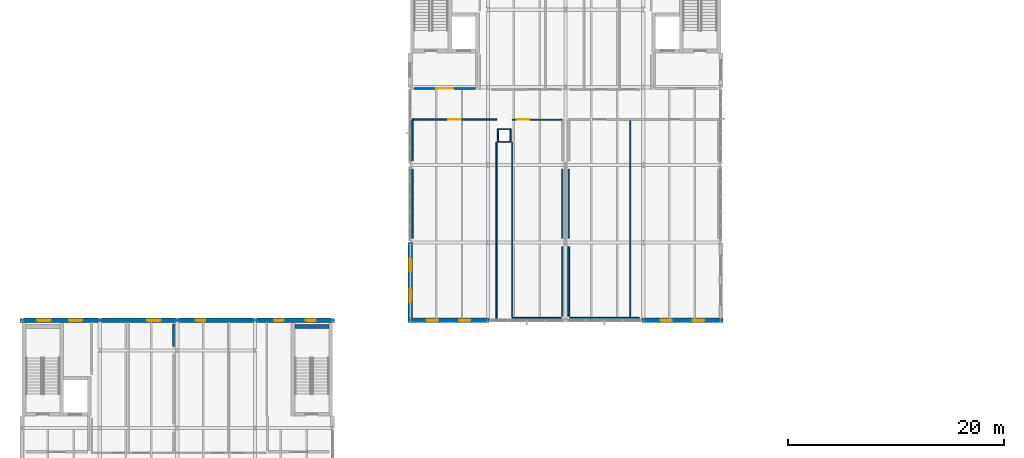
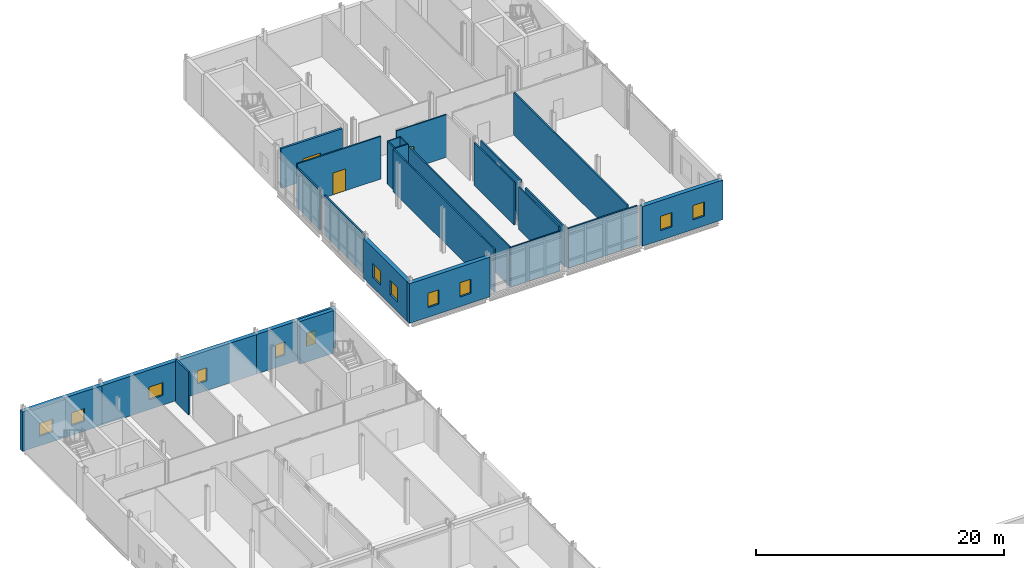
# One storey, part 60 of 72: 27 walls, 12 windows, 3 doors, 15 openings.
"""IFC4 building model written with IfcOpenShell, lengths in metres."""

from ifc_helpers import new_model, si_unit, direction, frame, frame_2d, origin, place, context, subcontext, project, spatial, rectangle, extrude, material, layer, layer_set, type_object, element, fill, save


model = new_model("IFC4")

# Units and contexts
model_context = context("Model", 3, precision=1e-05, world=origin(), true_north=direction((0.0, 1.0)))
body_context = subcontext(model_context, "Body", "Model", "MODEL_VIEW")
ifc_project = project(units=[si_unit("LENGTHUNIT", "METRE"), si_unit("AREAUNIT", "SQUARE_METRE"), si_unit("VOLUMEUNIT", "CUBIC_METRE"), si_unit("PLANEANGLEUNIT", "RADIAN"), si_unit("MASSUNIT", "GRAM", prefix="KILO")], contexts=[model_context])

# Site, building, storey
site_placement = place(None, origin())
site = spatial("IfcSite", under=ifc_project, at=site_placement, CompositionType="ELEMENT")
building_placement = place(site_placement, origin())
building = spatial("IfcBuilding", under=site, at=building_placement, Name="Zarrinpeak Specialist Clinic", CompositionType="ELEMENT")
storey_placement = place(building_placement, frame((0.0, 0.0, 9.60009765625)))
storey = spatial("IfcBuildingStorey", under=building, at=storey_placement, Name="L02", CompositionType="ELEMENT", Elevation=9.60009765625)

# Wall
ifc_material_1 = material(Name="Concrete C40/50", Category="concrete")
ifc_layer_1 = layer(ifc_material_1, 0.35009765625)
ifc_layer_set_1 = layer_set([ifc_layer_1], Name="Concrete C40/50")
wall_type_1 = type_object("IfcWallType", Name="WL-CR350", PredefinedType="SHEAR", material=ifc_layer_set_1)
wall_1_placement = place(storey_placement, frame((25.300048828125, 81.425048828125, 0.0), z_axis=(0.0, 0.0, 1.0), x_axis=(1.0, 0.0, 0.0)))
element("IfcWall", 1, at=wall_1_placement, inside=storey, type_object=wall_type_1, Name="L02 Core C10 Shear Wall STN", PredefinedType="SHEAR", context=body_context, shape_type="SweptSolid", body=[
    extrude(rectangle(XDim=3.14990234375, YDim=0.35009765625, at=frame_2d((1.574951171875, 0.0))), origin(), (0.0, 0.0, 1.0), 4.199951171875),
])

# Wall, openings, windows
ifc_material_2 = material(Name="Precast concrete C40/50", Category="concrete")
ifc_layer_2 = layer(ifc_material_2, 0.3798828125)
ifc_layer_set_2 = layer_set([ifc_layer_2], Name="Precast concrete C40/50")
wall_type_2 = type_object("IfcWallType", Name="WL-EW380", PredefinedType="STANDARD", material=ifc_layer_set_2)
wall_2_placement = place(storey_placement, frame((7.199951171875, 82.0, 0.0), z_axis=(0.0, 0.0, 1.0), x_axis=(-1.0, 0.0, 0.0)))
wall_2 = element("IfcWall", 2, at=wall_2_placement, inside=storey, type_object=wall_type_2, Name="L02 V5 Exterior GRC Wall EW-L02-V5-0243", PredefinedType="STANDARD", context=body_context, shape_type="SweptSolid", body=[
    extrude(rectangle(XDim=7.389892578125, YDim=0.3798828125, at=frame_2d((3.69482421875, 0.0))), origin(), (0.0, 0.0, 1.0), 3.89501953125),
])
opening_1_placement = place(wall_2_placement, frame((1.60009765625, 0.0, 0.949951171875)))
opening_1 = element("IfcOpeningElement", 3, at=opening_1_placement, cuts=wall_2, Name="Opening WS-12", PredefinedType="OPENING", context=body_context, shape_type="SweptSolid", body=[
    extrude(rectangle(XDim=1.23388671875, YDim=1.260009765625, at=frame_2d((0.616943359375, 0.6298828125))), frame((0.0, 0.199951171875, 0.0), z_axis=(0.0, -1.0, 0.0), x_axis=(1.0, 0.0, 0.0)), (0.0, 0.0, 1.0), 0.39990234375),
])
opening_2_placement = place(wall_2_placement, frame((4.555908203125, 0.0, 0.949951171875)))
opening_2 = element("IfcOpeningElement", 4, at=opening_2_placement, cuts=wall_2, Name="Opening WS-12", PredefinedType="OPENING", context=body_context, shape_type="SweptSolid", body=[
    extrude(rectangle(XDim=1.23388671875, YDim=1.260009765625, at=frame_2d((0.616943359375, 0.6298828125))), frame((0.0, 0.199951171875, 0.0), z_axis=(0.0, -1.0, 0.0), x_axis=(1.0, 0.0, 0.0)), (0.0, 0.0, 1.0), 0.39990234375),
])
ifc_material_3 = material(Name="Thermally Broken Aluminium and Low-E Glazing", Category="aluminium")
window_type_1 = type_object("IfcWindowType", Name="WN-SP12", PartitioningType="SINGLE_PANEL", PredefinedType="WINDOW", material=ifc_material_3)
window_1_placement = place(opening_1_placement, origin())
window_1 = element("IfcWindow", 5, at=window_1_placement, inside=storey, type_object=window_type_1, Name="L02 Modular Facade Window WN-L02-0278", OverallHeight=1.260009765625, OverallWidth=1.23388671875, PartitioningType="SINGLE_PANEL", PredefinedType="WINDOW", context=body_context, shape_type="SweptSolid", body=[
    extrude(rectangle(XDim=1.23388671875, YDim=1.260009765625, at=frame_2d((0.616943359375, 0.6298828125))), frame((0.0, 0.030029296875, 0.0), z_axis=(0.0, -1.0, 0.0), x_axis=(1.0, 0.0, 0.0)), (0.0, 0.0, 1.0), 0.06005859375),
])
fill(opening_1, window_1)
window_2_placement = place(opening_2_placement, origin())
window_2 = element("IfcWindow", 6, at=window_2_placement, inside=storey, type_object=window_type_1, Name="L02 Modular Facade Window WN-L02-0279", OverallHeight=1.260009765625, OverallWidth=1.23388671875, PartitioningType="SINGLE_PANEL", PredefinedType="WINDOW", context=body_context, shape_type="SweptSolid", body=[
    extrude(rectangle(XDim=1.23388671875, YDim=1.260009765625, at=frame_2d((0.616943359375, 0.6298828125))), frame((0.0, 0.030029296875, 0.0), z_axis=(0.0, -1.0, 0.0), x_axis=(1.0, 0.0, 0.0)), (0.0, 0.0, 1.0), 0.06005859375),
])
fill(opening_2, window_2)

# Wall, opening, window
wall_3_placement = place(storey_placement, frame((14.39990234375, 82.0, 0.0), z_axis=(0.0, 0.0, 1.0), x_axis=(-1.0, 0.0, 0.0)))
wall_3 = element("IfcWall", 7, at=wall_3_placement, inside=storey, type_object=wall_type_2, Name="L02 V5 Exterior GRC Wall EW-L02-V5-0244", PredefinedType="STANDARD", context=body_context, shape_type="SweptSolid", body=[
    extrude(rectangle(XDim=7.199951171875, YDim=0.3798828125, at=frame_2d((3.60009765625, 0.0))), origin(), (0.0, 0.0, 1.0), 3.89501953125),
])
opening_3_placement = place(wall_3_placement, frame((1.52587890625, 0.0, 0.949951171875)))
opening_3 = element("IfcOpeningElement", 8, at=opening_3_placement, cuts=wall_3, Name="Opening WS-13", PredefinedType="OPENING", context=body_context, shape_type="SweptSolid", body=[
    extrude(rectangle(XDim=1.26806640625, YDim=1.260009765625, at=frame_2d((0.634033203125, 0.6298828125))), frame((0.0, 0.199951171875, 0.0), z_axis=(0.0, -1.0, 0.0), x_axis=(1.0, 0.0, 0.0)), (0.0, 0.0, 1.0), 0.39990234375),
])
window_type_2 = type_object("IfcWindowType", Name="WN-SP13", PartitioningType="SINGLE_PANEL", PredefinedType="WINDOW", material=ifc_material_3)
window_3_placement = place(opening_3_placement, origin())
window_3 = element("IfcWindow", 9, at=window_3_placement, inside=storey, type_object=window_type_2, Name="L02 Modular Facade Window WN-L02-0280", OverallHeight=1.260009765625, OverallWidth=1.26806640625, PartitioningType="SINGLE_PANEL", PredefinedType="WINDOW", context=body_context, shape_type="SweptSolid", body=[
    extrude(rectangle(XDim=1.26806640625, YDim=1.260009765625, at=frame_2d((0.634033203125, 0.6298828125))), frame((0.0, 0.030029296875, 0.0), z_axis=(0.0, -1.0, 0.0), x_axis=(1.0, 0.0, 0.0)), (0.0, 0.0, 1.0), 0.06005859375),
])
fill(opening_3, window_3)

wall_4_placement = place(storey_placement, frame((21.60009765625, 82.0, 0.0), z_axis=(0.0, 0.0, 1.0), x_axis=(-1.0, 0.0, 0.0)))
wall_4 = element("IfcWall", 10, at=wall_4_placement, inside=storey, type_object=wall_type_2, Name="L02 V5 Exterior GRC Wall EW-L02-V5-0245", PredefinedType="STANDARD", context=body_context, shape_type="SweptSolid", body=[
    extrude(rectangle(XDim=7.2001953125, YDim=0.3798828125, at=frame_2d((3.60009765625, 0.0))), origin(), (0.0, 0.0, 1.0), 3.89501953125),
])
opening_4_placement = place(wall_4_placement, frame((4.610107421875, 0.0, 0.949951171875)))
opening_4 = element("IfcOpeningElement", 11, at=opening_4_placement, cuts=wall_4, Name="Opening WS-14", PredefinedType="OPENING", context=body_context, shape_type="SweptSolid", body=[
    extrude(rectangle(XDim=0.860107421875, YDim=1.2958984375, at=frame_2d((0.43017578125, 0.64794921875))), frame((0.0, 0.199951171875, 0.0), z_axis=(0.0, -1.0, 0.0), x_axis=(1.0, 0.0, 0.0)), (0.0, 0.0, 1.0), 0.39990234375),
])
window_type_3 = type_object("IfcWindowType", Name="WN-SP14", PartitioningType="SINGLE_PANEL", PredefinedType="WINDOW", material=ifc_material_3)
window_4_placement = place(opening_4_placement, origin())
window_4 = element("IfcWindow", 12, at=window_4_placement, inside=storey, type_object=window_type_3, Name="L02 Modular Facade Window WN-L02-0281", OverallHeight=1.2958984375, OverallWidth=0.860107421875, PartitioningType="SINGLE_PANEL", PredefinedType="WINDOW", context=body_context, shape_type="SweptSolid", body=[
    extrude(rectangle(XDim=0.860107421875, YDim=1.2958984375, at=frame_2d((0.43017578125, 0.64794921875))), frame((0.0, 0.030029296875, 0.0), z_axis=(0.0, -1.0, 0.0), x_axis=(1.0, 0.0, 0.0)), (0.0, 0.0, 1.0), 0.06005859375),
])
fill(opening_4, window_4)

# Wall, openings, windows
wall_5_placement = place(storey_placement, frame((28.989990234375, 82.0, 0.0), z_axis=(0.0, 0.0, 1.0), x_axis=(-1.0, 0.0, 0.0)))
wall_5 = element("IfcWall", 13, at=wall_5_placement, inside=storey, type_object=wall_type_2, Name="L02 V5 Exterior GRC Wall EW-L02-V5-0246", PredefinedType="STANDARD", context=body_context, shape_type="SweptSolid", body=[
    extrude(rectangle(XDim=7.389892578125, YDim=0.3798828125, at=frame_2d((3.69482421875, 0.0))), origin(), (0.0, 0.0, 1.0), 3.89501953125),
])
opening_5_placement = place(wall_5_placement, frame((1.77001953125, 0.0, 0.949951171875)))
opening_5 = element("IfcOpeningElement", 14, at=opening_5_placement, cuts=wall_5, Name="Opening WS-15", PredefinedType="OPENING", context=body_context, shape_type="SweptSolid", body=[
    extrude(rectangle(XDim=0.89404296875, YDim=1.2958984375, at=frame_2d((0.447021484375, 0.64794921875))), frame((0.0, 0.199951171875, 0.0), z_axis=(0.0, -1.0, 0.0), x_axis=(1.0, 0.0, 0.0)), (0.0, 0.0, 1.0), 0.39990234375),
])
opening_6_placement = place(wall_5_placement, frame((4.72607421875, 0.0, 0.949951171875)))
opening_6 = element("IfcOpeningElement", 15, at=opening_6_placement, cuts=wall_5, Name="Opening WS-15", PredefinedType="OPENING", context=body_context, shape_type="SweptSolid", body=[
    extrude(rectangle(XDim=0.89404296875, YDim=1.2958984375, at=frame_2d((0.447021484375, 0.64794921875))), frame((0.0, 0.199951171875, 0.0), z_axis=(0.0, -1.0, 0.0), x_axis=(1.0, 0.0, 0.0)), (0.0, 0.0, 1.0), 0.39990234375),
])
window_type_4 = type_object("IfcWindowType", Name="WN-SP15", PartitioningType="SINGLE_PANEL", PredefinedType="WINDOW", material=ifc_material_3)
window_5_placement = place(opening_5_placement, origin())
window_5 = element("IfcWindow", 16, at=window_5_placement, inside=storey, type_object=window_type_4, Name="L02 Modular Facade Window WN-L02-0282", OverallHeight=1.2958984375, OverallWidth=0.89404296875, PartitioningType="SINGLE_PANEL", PredefinedType="WINDOW", context=body_context, shape_type="SweptSolid", body=[
    extrude(rectangle(XDim=0.89404296875, YDim=1.2958984375, at=frame_2d((0.447021484375, 0.64794921875))), frame((0.0, 0.030029296875, 0.0), z_axis=(0.0, -1.0, 0.0), x_axis=(1.0, 0.0, 0.0)), (0.0, 0.0, 1.0), 0.06005859375),
])
fill(opening_5, window_5)
window_6_placement = place(opening_6_placement, origin())
window_6 = element("IfcWindow", 17, at=window_6_placement, inside=storey, type_object=window_type_4, Name="L02 Modular Facade Window WN-L02-0283", OverallHeight=1.2958984375, OverallWidth=0.89404296875, PartitioningType="SINGLE_PANEL", PredefinedType="WINDOW", context=body_context, shape_type="SweptSolid", body=[
    extrude(rectangle(XDim=0.89404296875, YDim=1.2958984375, at=frame_2d((0.447021484375, 0.64794921875))), frame((0.0, 0.030029296875, 0.0), z_axis=(0.0, -1.0, 0.0), x_axis=(1.0, 0.0, 0.0)), (0.0, 0.0, 1.0), 0.06005859375),
])
fill(opening_6, window_6)

wall_6_placement = place(storey_placement, frame((35.81005859375, 82.0, 0.0), z_axis=(0.0, 0.0, 1.0), x_axis=(1.0, 0.0, 0.0)))
wall_6 = element("IfcWall", 18, at=wall_6_placement, inside=storey, type_object=wall_type_2, Name="L02 V6 Exterior GRC Wall EW-L02-V6-0289", PredefinedType="STANDARD", context=body_context, shape_type="SweptSolid", body=[
    extrude(rectangle(XDim=7.5, YDim=0.3798828125, at=frame_2d((3.75, 0.0))), origin(), (0.0, 0.0, 1.0), 3.89990234375),
])
opening_7_placement = place(wall_6_placement, frame((1.735107421875, 0.0, 0.949951171875)))
opening_7 = element("IfcOpeningElement", 19, at=opening_7_placement, cuts=wall_6, Name="Opening WS-58", PredefinedType="OPENING", context=body_context, shape_type="SweptSolid", body=[
    extrude(rectangle(XDim=1.030029296875, YDim=1.404052734375, at=frame_2d((0.51513671875, 0.7021484375))), frame((0.0, 0.199951171875, 0.0), z_axis=(0.0, -1.0, 0.0), x_axis=(1.0, 0.0, 0.0)), (0.0, 0.0, 1.0), 0.39990234375),
])
opening_8_placement = place(wall_6_placement, frame((4.735107421875, 0.0, 0.949951171875)))
opening_8 = element("IfcOpeningElement", 20, at=opening_8_placement, cuts=wall_6, Name="Opening WS-58", PredefinedType="OPENING", context=body_context, shape_type="SweptSolid", body=[
    extrude(rectangle(XDim=1.030029296875, YDim=1.404052734375, at=frame_2d((0.51513671875, 0.7021484375))), frame((0.0, 0.199951171875, 0.0), z_axis=(0.0, -1.0, 0.0), x_axis=(1.0, 0.0, 0.0)), (0.0, 0.0, 1.0), 0.39990234375),
])
window_type_5 = type_object("IfcWindowType", Name="WN-SP58", PartitioningType="SINGLE_PANEL", PredefinedType="WINDOW", material=ifc_material_3)
window_7_placement = place(opening_7_placement, origin())
window_7 = element("IfcWindow", 21, at=window_7_placement, inside=storey, type_object=window_type_5, Name="L02 Modular Facade Window WN-L02-0328", OverallHeight=1.404052734375, OverallWidth=1.030029296875, PartitioningType="SINGLE_PANEL", PredefinedType="WINDOW", context=body_context, shape_type="SweptSolid", body=[
    extrude(rectangle(XDim=1.030029296875, YDim=1.404052734375, at=frame_2d((0.51513671875, 0.7021484375))), frame((0.0, 0.030029296875, 0.0), z_axis=(0.0, -1.0, 0.0), x_axis=(1.0, 0.0, 0.0)), (0.0, 0.0, 1.0), 0.06005859375),
])
fill(opening_7, window_7)
window_8_placement = place(opening_8_placement, origin())
window_8 = element("IfcWindow", 22, at=window_8_placement, inside=storey, type_object=window_type_5, Name="L02 Modular Facade Window WN-L02-0329", OverallHeight=1.404052734375, OverallWidth=1.030029296875, PartitioningType="SINGLE_PANEL", PredefinedType="WINDOW", context=body_context, shape_type="SweptSolid", body=[
    extrude(rectangle(XDim=1.030029296875, YDim=1.404052734375, at=frame_2d((0.51513671875, 0.7021484375))), frame((0.0, 0.030029296875, 0.0), z_axis=(0.0, -1.0, 0.0), x_axis=(1.0, 0.0, 0.0)), (0.0, 0.0, 1.0), 0.06005859375),
])
fill(opening_8, window_8)

wall_7_placement = place(storey_placement, frame((57.489990234375, 82.0, 0.0), z_axis=(0.0, 0.0, 1.0), x_axis=(1.0, 0.0, 0.0)))
wall_7 = element("IfcWall", 23, at=wall_7_placement, inside=storey, type_object=wall_type_2, Name="L02 V6 Exterior GRC Wall EW-L02-V6-0290", PredefinedType="STANDARD", context=body_context, shape_type="SweptSolid", body=[
    extrude(rectangle(XDim=7.5, YDim=0.3798828125, at=frame_2d((3.75, 0.0))), origin(), (0.0, 0.0, 1.0), 3.89990234375),
])
opening_9_placement = place(wall_7_placement, frame((1.718017578125, 0.0, 0.949951171875)))
opening_9 = element("IfcOpeningElement", 24, at=opening_9_placement, cuts=wall_7, Name="Opening WS-59", PredefinedType="OPENING", context=body_context, shape_type="SweptSolid", body=[
    extrude(rectangle(XDim=1.06396484375, YDim=1.404052734375, at=frame_2d((0.531982421875, 0.7021484375))), frame((0.0, 0.199951171875, 0.0), z_axis=(0.0, -1.0, 0.0), x_axis=(1.0, 0.0, 0.0)), (0.0, 0.0, 1.0), 0.39990234375),
])
opening_10_placement = place(wall_7_placement, frame((4.718017578125, 0.0, 0.949951171875)))
opening_10 = element("IfcOpeningElement", 25, at=opening_10_placement, cuts=wall_7, Name="Opening WS-59", PredefinedType="OPENING", context=body_context, shape_type="SweptSolid", body=[
    extrude(rectangle(XDim=1.06396484375, YDim=1.404052734375, at=frame_2d((0.531982421875, 0.7021484375))), frame((0.0, 0.199951171875, 0.0), z_axis=(0.0, -1.0, 0.0), x_axis=(1.0, 0.0, 0.0)), (0.0, 0.0, 1.0), 0.39990234375),
])
window_type_6 = type_object("IfcWindowType", Name="WN-SP59", PartitioningType="SINGLE_PANEL", PredefinedType="WINDOW", material=ifc_material_3)
window_9_placement = place(opening_9_placement, origin())
window_9 = element("IfcWindow", 26, at=window_9_placement, inside=storey, type_object=window_type_6, Name="L02 Modular Facade Window WN-L02-0330", OverallHeight=1.404052734375, OverallWidth=1.06396484375, PartitioningType="SINGLE_PANEL", PredefinedType="WINDOW", context=body_context, shape_type="SweptSolid", body=[
    extrude(rectangle(XDim=1.06396484375, YDim=1.404052734375, at=frame_2d((0.531982421875, 0.7021484375))), frame((0.0, 0.030029296875, 0.0), z_axis=(0.0, -1.0, 0.0), x_axis=(1.0, 0.0, 0.0)), (0.0, 0.0, 1.0), 0.06005859375),
])
fill(opening_9, window_9)
window_10_placement = place(opening_10_placement, origin())
window_10 = element("IfcWindow", 27, at=window_10_placement, inside=storey, type_object=window_type_6, Name="L02 Modular Facade Window WN-L02-0331", OverallHeight=1.404052734375, OverallWidth=1.06396484375, PartitioningType="SINGLE_PANEL", PredefinedType="WINDOW", context=body_context, shape_type="SweptSolid", body=[
    extrude(rectangle(XDim=1.06396484375, YDim=1.404052734375, at=frame_2d((0.531982421875, 0.7021484375))), frame((0.0, 0.030029296875, 0.0), z_axis=(0.0, -1.0, 0.0), x_axis=(1.0, 0.0, 0.0)), (0.0, 0.0, 1.0), 0.06005859375),
])
fill(opening_10, window_10)

wall_8_placement = place(storey_placement, frame((36.0, 89.199951171875, 0.0), z_axis=(0.0, 0.0, 1.0), x_axis=(0.0, -1.0, 0.0)))
wall_8 = element("IfcWall", 28, at=wall_8_placement, inside=storey, type_object=wall_type_2, Name="L02 V6 Exterior GRC Wall EW-L02-V6-0295", PredefinedType="STANDARD", context=body_context, shape_type="SweptSolid", body=[
    extrude(rectangle(XDim=7.010009765625, YDim=0.3798828125, at=frame_2d((3.5048828125, 0.0))), origin(), (0.0, 0.0, 1.0), 3.889892578125),
])
opening_11_placement = place(wall_8_placement, frame((1.486083984375, 0.0, 0.949951171875)))
opening_11 = element("IfcOpeningElement", 29, at=opening_11_placement, cuts=wall_8, Name="Opening WS-64", PredefinedType="OPENING", context=body_context, shape_type="SweptSolid", body=[
    extrude(rectangle(XDim=1.23388671875, YDim=1.404052734375, at=frame_2d((0.616943359375, 0.7021484375))), frame((0.0, 0.199951171875, 0.0), z_axis=(0.0, -1.0, 0.0), x_axis=(1.0, 0.0, 0.0)), (0.0, 0.0, 1.0), 0.39990234375),
])
opening_12_placement = place(wall_8_placement, frame((4.2900390625, 0.0, 0.949951171875)))
opening_12 = element("IfcOpeningElement", 30, at=opening_12_placement, cuts=wall_8, Name="Opening WS-64", PredefinedType="OPENING", context=body_context, shape_type="SweptSolid", body=[
    extrude(rectangle(XDim=1.23388671875, YDim=1.404052734375, at=frame_2d((0.616943359375, 0.7021484375))), frame((0.0, 0.199951171875, 0.0), z_axis=(0.0, -1.0, 0.0), x_axis=(1.0, 0.0, 0.0)), (0.0, 0.0, 1.0), 0.39990234375),
])
window_type_7 = type_object("IfcWindowType", Name="WN-SP64", PartitioningType="SINGLE_PANEL", PredefinedType="WINDOW", material=ifc_material_3)
window_11_placement = place(opening_11_placement, origin())
window_11 = element("IfcWindow", 31, at=window_11_placement, inside=storey, type_object=window_type_7, Name="L02 Modular Facade Window WN-L02-0336", OverallHeight=1.404052734375, OverallWidth=1.23388671875, PartitioningType="SINGLE_PANEL", PredefinedType="WINDOW", context=body_context, shape_type="SweptSolid", body=[
    extrude(rectangle(XDim=1.23388671875, YDim=1.404052734375, at=frame_2d((0.616943359375, 0.7021484375))), frame((0.0, 0.030029296875, 0.0), z_axis=(0.0, -1.0, 0.0), x_axis=(1.0, 0.0, 0.0)), (0.0, 0.0, 1.0), 0.06005859375),
])
fill(opening_11, window_11)
window_12_placement = place(opening_12_placement, origin())
window_12 = element("IfcWindow", 32, at=window_12_placement, inside=storey, type_object=window_type_7, Name="L02 Modular Facade Window WN-L02-0337", OverallHeight=1.404052734375, OverallWidth=1.23388671875, PartitioningType="SINGLE_PANEL", PredefinedType="WINDOW", context=body_context, shape_type="SweptSolid", body=[
    extrude(rectangle(XDim=1.23388671875, YDim=1.404052734375, at=frame_2d((0.616943359375, 0.7021484375))), frame((0.0, 0.030029296875, 0.0), z_axis=(0.0, -1.0, 0.0), x_axis=(1.0, 0.0, 0.0)), (0.0, 0.0, 1.0), 0.06005859375),
])
fill(opening_12, window_12)

# Walls
ifc_material_4 = material(Name="Sanitary Service Chase Plumbing Wall", Category="gypsum")
ifc_layer_3 = layer(ifc_material_4, 0.110107421875)
ifc_layer_set_3 = layer_set([ifc_layer_3], Name="Sanitary Service Chase Plumbing Wall")
wall_type_3 = type_object("IfcWallType", Name="WL-IW110", PredefinedType="PARTITIONING", material=ifc_layer_set_3)
for number, where, z_axis, x_axis, name in (
    (33, (44.090087890625, 98.544921875, 0.0), (0.0, 0.0, 1.0), (1.0, 0.0, 0.0), "L02 V6 Enclosed MEP Service Riser Wall S"),
    (34, (44.090087890625, 99.705078125, 0.0), (0.0, 0.0, 1.0), (1.0, 0.0, 0.0), "L02 V6 Enclosed MEP Service Riser Wall N"),
):
    element("IfcWall", number, at=place(storey_placement, frame(where, z_axis=z_axis, x_axis=x_axis)), inside=storey, type_object=wall_type_3, Name=name, PredefinedType="PARTITIONING", context=body_context, shape_type="SweptSolid", body=[
        extrude(rectangle(XDim=1.27001953125, YDim=0.110107421875, at=frame_2d((0.635009765625, 0.0))), origin(), (0.0, 0.0, 1.0), 4.199951171875),
    ])
for number, where, z_axis, x_axis, name in (
    (35, (44.14501953125, 98.60009765625, 0.0), (0.0, 0.0, 1.0), (0.0, 1.0, 0.0), "L02 V6 Enclosed MEP Service Riser Wall W"),
    (36, (45.304931640625, 98.60009765625, 0.0), (0.0, 0.0, 1.0), (0.0, 1.0, 0.0), "L02 V6 Enclosed MEP Service Riser Wall E"),
):
    element("IfcWall", number, at=place(storey_placement, frame(where, z_axis=z_axis, x_axis=x_axis)), inside=storey, type_object=wall_type_3, Name=name, PredefinedType="PARTITIONING", context=body_context, shape_type="SweptSolid", body=[
        extrude(rectangle(XDim=1.0498046875, YDim=0.110107421875, at=frame_2d((0.52490234375, 0.0))), origin(), (0.0, 0.0, 1.0), 4.199951171875),
    ])
ifc_material_5 = material(Name="Cleanroom Flush Phenolic Partition", Category="gypsum")
ifc_layer_4 = layer(ifc_material_5, 0.117919921875)
ifc_layer_set_4 = layer_set([ifc_layer_4], Name="Cleanroom Flush Phenolic Partition")
wall_type_4 = type_object("IfcWallType", Name="WL-IW118", PredefinedType="PARTITIONING", material=ifc_layer_set_4)
wall_9_placement = place(storey_placement, frame((45.449951171875, 82.199951171875, 0.0), z_axis=(0.0, 0.0, 1.0), x_axis=(1.0, 0.0, 0.0)))
element("IfcWall", 37, at=wall_9_placement, inside=storey, type_object=wall_type_4, Name="L02 Molecular Diagnostics PCR Lab Partition", PredefinedType="PARTITIONING", context=body_context, shape_type="SweptSolid", body=[
    extrude(rectangle(XDim=4.570068359375, YDim=0.117919921875, at=frame_2d((2.28515625, 0.0))), origin(), (0.0, 0.0, 1.0), 3.89990234375),
])

# Wall, opening, door
wall_10_placement = place(storey_placement, frame((45.449951171875, 100.60009765625, 0.0), z_axis=(0.0, 0.0, 1.0), x_axis=(1.0, 0.0, 0.0)))
wall_10 = element("IfcWall", 38, at=wall_10_placement, inside=storey, type_object=wall_type_4, Name="L02 Molecular Diagnostics PCR Lab Partition", PredefinedType="PARTITIONING", context=body_context, shape_type="SweptSolid", body=[
    extrude(rectangle(XDim=4.650146484375, YDim=0.117919921875, at=frame_2d((2.3251953125, 0.0))), origin(), (0.0, 0.0, 1.0), 4.199951171875),
])
opening_13_placement = place(wall_10_placement, frame((0.449951171875, 0.0, 0.0)))
opening_13 = element("IfcOpeningElement", 39, at=opening_13_placement, cuts=wall_10, Name="Opening D-LB1", PredefinedType="OPENING", context=body_context, shape_type="SweptSolid", body=[
    extrude(rectangle(XDim=1.14990234375, YDim=2.14990234375, at=frame_2d((0.574951171875, 1.074951171875))), frame((0.0, 0.06884765625, 0.0), z_axis=(0.0, -1.0, 0.0), x_axis=(1.0, 0.0, 0.0)), (0.0, 0.0, 1.0), 0.137939453125),
])
ifc_material_6 = material(Name="Powder-Coated Galvanised Steel", Category="steel")
door_type_1 = type_object("IfcDoorType", Name="DR-LAB115", OperationType="SINGLE_SWING_LEFT", PredefinedType="DOOR", material=ifc_material_6)
door_1_placement = place(opening_13_placement, origin())
door_1 = element("IfcDoor", 40, at=door_1_placement, inside=storey, type_object=door_type_1, Name="L02 Molecular Diagnostics PCR Lab Door", OperationType="SINGLE_SWING_LEFT", OverallHeight=2.14990234375, OverallWidth=1.14990234375, PredefinedType="DOOR", context=body_context, shape_type="SweptSolid", body=[
    extrude(rectangle(XDim=1.14990234375, YDim=2.14990234375, at=frame_2d((0.574951171875, 1.074951171875))), frame((0.0, 0.02490234375, 0.0), z_axis=(0.0, -1.0, 0.0), x_axis=(1.0, 0.0, 0.0)), (0.0, 0.0, 1.0), 0.050048828125),
])
fill(opening_13, door_1)

# Walls
wall_11_placement = place(storey_placement, frame((45.449951171875, 82.259033203125, 0.0), z_axis=(0.0, 0.0, 1.0), x_axis=(0.0, 1.0, 0.0)))
element("IfcWall", 41, at=wall_11_placement, inside=storey, type_object=wall_type_4, Name="L02 Molecular Diagnostics PCR Lab Dividing Partition", PredefinedType="PARTITIONING", context=body_context, shape_type="SweptSolid", body=[
    extrude(rectangle(XDim=16.23095703125, YDim=0.117919921875, at=frame_2d((8.115478515625, 0.0))), origin(), (0.0, 0.0, 1.0), 3.914794921875),
])
wall_12_placement = place(storey_placement, frame((50.10009765625, 82.3798828125, 0.0), z_axis=(0.0, 0.0, 1.0), x_axis=(0.0, 1.0, 0.0)))
element("IfcWall", 42, at=wall_12_placement, inside=storey, type_object=wall_type_4, Name="L02 Molecular Diagnostics PCR Lab Dividing Partition", PredefinedType="PARTITIONING", context=body_context, shape_type="SweptSolid", body=[
    extrude(rectangle(XDim=6.440185546875, YDim=0.117919921875, at=frame_2d((3.22021484375, 0.0))), origin(), (0.0, 0.0, 1.0), 4.199951171875),
])
wall_13_placement = place(storey_placement, frame((50.10009765625, 89.580078125, 0.0), z_axis=(0.0, 0.0, 1.0), x_axis=(0.0, 1.0, 0.0)))
element("IfcWall", 43, at=wall_13_placement, inside=storey, type_object=wall_type_4, Name="L02 Molecular Diagnostics PCR Lab Dividing Partition", PredefinedType="PARTITIONING", context=body_context, shape_type="SweptSolid", body=[
    extrude(rectangle(XDim=6.43994140625, YDim=0.117919921875, at=frame_2d((3.219970703125, 0.0))), origin(), (0.0, 0.0, 1.0), 4.199951171875),
])

# Wall, opening, door
ifc_material_7 = material(Name="Standard Drywall Partition", Category="gypsum")
ifc_layer_5 = layer(ifc_material_7, 0.135009765625)
ifc_layer_set_5 = layer_set([ifc_layer_5], Name="Standard Drywall Partition")
wall_type_5 = type_object("IfcWallType", Name="WL-IW135", PredefinedType="PARTITIONING", material=ifc_layer_set_5)
wall_14_placement = place(storey_placement, frame((36.199951171875, 100.60009765625, 0.0), z_axis=(0.0, 0.0, 1.0), x_axis=(1.0, 0.0, 0.0)))
wall_14 = element("IfcWall", 44, at=wall_14_placement, inside=storey, type_object=wall_type_5, Name="L02 Specialist Consultation Room 2 Partition", PredefinedType="PARTITIONING", context=body_context, shape_type="SweptSolid", body=[
    extrude(rectangle(XDim=7.800048828125, YDim=0.135009765625, at=frame_2d((3.89990234375, 0.0))), origin(), (0.0, 0.0, 1.0), 4.199951171875),
])
opening_14_placement = place(wall_14_placement, frame((3.303955078125, 0.0, 0.0)))
opening_14 = element("IfcOpeningElement", 45, at=opening_14_placement, cuts=wall_14, Name="Opening DS-65", PredefinedType="OPENING", context=body_context, shape_type="SweptSolid", body=[
    extrude(rectangle(XDim=1.19189453125, YDim=2.152099609375, at=frame_2d((0.595947265625, 1.076171875))), frame((0.0, 0.07763671875, 0.0), z_axis=(0.0, -1.0, 0.0), x_axis=(1.0, 0.0, 0.0)), (0.0, 0.0, 1.0), 0.155029296875),
])
door_type_2 = type_object("IfcDoorType", Name="DR-SP65", OperationType="SINGLE_SWING_RIGHT", PredefinedType="DOOR", material=ifc_material_6)
door_2_placement = place(opening_14_placement, origin())
door_2 = element("IfcDoor", 46, at=door_2_placement, inside=storey, type_object=door_type_2, Name="L02 Specialist Consultation Room 2 Door", OperationType="SINGLE_SWING_RIGHT", OverallHeight=2.152099609375, OverallWidth=1.19189453125, PredefinedType="DOOR", context=body_context, shape_type="SweptSolid", body=[
    extrude(rectangle(XDim=1.19189453125, YDim=2.152099609375, at=frame_2d((0.595947265625, 1.076171875))), frame((0.0, 0.02490234375, 0.0), z_axis=(0.0, -1.0, 0.0), x_axis=(1.0, 0.0, 0.0)), (0.0, 0.0, 1.0), 0.050048828125),
])
fill(opening_14, door_2)

# Walls
wall_15_placement = place(storey_placement, frame((36.199951171875, 96.780029296875, 0.0), z_axis=(0.0, 0.0, 1.0), x_axis=(0.0, 1.0, 0.0)))
element("IfcWall", 47, at=wall_15_placement, inside=storey, type_object=wall_type_5, Name="L02 Specialist Consultation Room 2 Dividing Partition", PredefinedType="PARTITIONING", context=body_context, shape_type="SweptSolid", body=[
    extrude(rectangle(XDim=3.75244140625, YDim=0.135009765625, at=frame_2d((1.876220703125, 0.0))), origin(), (0.0, 0.0, 1.0), 3.885009765625),
])
wall_16_placement = place(storey_placement, frame((44.0, 82.199951171875, 0.0), z_axis=(0.0, 0.0, 1.0), x_axis=(0.0, 1.0, 0.0)))
element("IfcWall", 48, at=wall_16_placement, inside=storey, type_object=wall_type_5, Name="L02 Specialist Consultation Room 2 Dividing Partition", PredefinedType="PARTITIONING", context=body_context, shape_type="SweptSolid", body=[
    extrude(rectangle(XDim=16.2900390625, YDim=0.135009765625, at=frame_2d((8.14501953125, 0.0))), origin(), (0.0, 0.0, 1.0), 4.199951171875),
])
wall_17_placement = place(storey_placement, frame((50.699951171875, 89.580078125, 0.0), z_axis=(0.0, 0.0, 1.0), x_axis=(0.0, 1.0, 0.0)))
element("IfcWall", 49, at=wall_17_placement, inside=storey, type_object=wall_type_5, Name="L02 Specialist Consultation Room 1 Dividing Partition", PredefinedType="PARTITIONING", context=body_context, shape_type="SweptSolid", body=[
    extrude(rectangle(XDim=6.43994140625, YDim=0.135009765625, at=frame_2d((3.219970703125, 0.0))), origin(), (0.0, 0.0, 1.0), 4.199951171875),
])
wall_18_placement = place(storey_placement, frame((56.39990234375, 82.27099609375, 0.0), z_axis=(0.0, 0.0, 1.0), x_axis=(0.0, 1.0, 0.0)))
element("IfcWall", 50, at=wall_18_placement, inside=storey, type_object=wall_type_5, Name="L02 Specialist Consultation Room 1 Dividing Partition", PredefinedType="PARTITIONING", context=body_context, shape_type="SweptSolid", body=[
    extrude(rectangle(XDim=18.258056640625, YDim=0.135009765625, at=frame_2d((9.12890625, 0.0))), origin(), (0.0, 0.0, 1.0), 4.199951171875),
])
ifc_material_8 = material(Name="Acoustic Consultation Stud Partition", Category="gypsum")
ifc_layer_6 = layer(ifc_material_8, 0.14208984375)
ifc_layer_set_6 = layer_set([ifc_layer_6], Name="Acoustic Consultation Stud Partition")
wall_type_6 = type_object("IfcWallType", Name="WL-IW142", PredefinedType="PARTITIONING", material=ifc_layer_set_6)
wall_19_placement = place(storey_placement, frame((50.780029296875, 82.199951171875, 0.0), z_axis=(0.0, 0.0, 1.0), x_axis=(1.0, 0.0, 0.0)))
element("IfcWall", 51, at=wall_19_placement, inside=storey, type_object=wall_type_6, Name="L02 Specialist Consultation Room 1 Partition", PredefinedType="PARTITIONING", context=body_context, shape_type="SweptSolid", body=[
    extrude(rectangle(XDim=6.43994140625, YDim=0.14208984375, at=frame_2d((3.219970703125, 0.0))), origin(), (0.0, 0.0, 1.0), 3.89990234375),
])
wall_20_placement = place(storey_placement, frame((36.199951171875, 89.580078125, 0.0), z_axis=(0.0, 0.0, 1.0), x_axis=(0.0, 1.0, 0.0)))
element("IfcWall", 52, at=wall_20_placement, inside=storey, type_object=wall_type_6, Name="L02 Specialist Consultation Room 2 Dividing Partition", PredefinedType="PARTITIONING", context=body_context, shape_type="SweptSolid", body=[
    extrude(rectangle(XDim=6.43994140625, YDim=0.14208984375, at=frame_2d((3.219970703125, 0.0))), origin(), (0.0, 0.0, 1.0), 3.885009765625),
])
wall_21_placement = place(storey_placement, frame((50.699951171875, 82.3798828125, 0.0), z_axis=(0.0, 0.0, 1.0), x_axis=(0.0, 1.0, 0.0)))
element("IfcWall", 53, at=wall_21_placement, inside=storey, type_object=wall_type_6, Name="L02 Specialist Consultation Room 1 Dividing Partition", PredefinedType="PARTITIONING", context=body_context, shape_type="SweptSolid", body=[
    extrude(rectangle(XDim=6.440185546875, YDim=0.14208984375, at=frame_2d((3.22021484375, 0.0))), origin(), (0.0, 0.0, 1.0), 3.89990234375),
])
ifc_material_9 = material(Name="Acoustic Double Gypsum Stud Partition", Category="gypsum")
ifc_layer_7 = layer(ifc_material_9, 0.159912109375)
ifc_layer_set_7 = layer_set([ifc_layer_7], Name="Acoustic Double Gypsum Stud Partition")
wall_type_7 = type_object("IfcWallType", Name="WL-IW160", PredefinedType="PARTITIONING", material=ifc_layer_set_7)
wall_22_placement = place(storey_placement, frame((14.050048828125, 79.580078125, 0.0), z_axis=(0.0, 0.0, 1.0), x_axis=(0.0, 1.0, 0.0)))
element("IfcWall", 54, at=wall_22_placement, inside=storey, type_object=wall_type_7, Name="L02 Oncology Chemotherapy Infusion Bay Dividing Partition", PredefinedType="PARTITIONING", context=body_context, shape_type="SweptSolid", body=[
    extrude(rectangle(XDim=2.0400390625, YDim=0.159912109375, at=frame_2d((1.02001953125, 0.0))), origin(), (0.0, 0.0, 1.0), 4.199951171875),
])

# Wall, opening, door
ifc_material_10 = material(Name="Autoclaved Aerated Concrete Blockwork", Category="masonry")
ifc_layer_8 = layer(ifc_material_10, 0.199951171875)
ifc_layer_set_8 = layer_set([ifc_layer_8], Name="Autoclaved Aerated Concrete Blockwork")
wall_type_8 = type_object("IfcWallType", Name="WL-IW200", PredefinedType="PARTITIONING", material=ifc_layer_set_8)
wall_23_placement = place(storey_placement, frame((36.35009765625, 103.5, 0.0), z_axis=(0.0, 0.0, 1.0), x_axis=(1.0, 0.0, 0.0)))
wall_23 = element("IfcWall", 55, at=wall_23_placement, inside=storey, type_object=wall_type_8, Name="L02 C11 Protected Lobby Partition LBF", PredefinedType="PARTITIONING", context=body_context, shape_type="SweptSolid", body=[
    extrude(rectangle(XDim=5.699951171875, YDim=0.199951171875, at=frame_2d((2.85009765625, 0.0))), origin(), (0.0, 0.0, 1.0), 3.89501953125),
])
opening_15_placement = place(wall_23_placement, frame((2.050048828125, 0.0, 0.0)))
opening_15 = element("IfcOpeningElement", 56, at=opening_15_placement, cuts=wall_23, Name="Opening D-L01", PredefinedType="OPENING", context=body_context, shape_type="SweptSolid", body=[
    extrude(rectangle(XDim=1.60009765625, YDim=2.199951171875, at=frame_2d((0.800048828125, 1.10009765625))), frame((0.0, 0.10986328125, 0.0), z_axis=(0.0, -1.0, 0.0), x_axis=(1.0, 0.0, 0.0)), (0.0, 0.0, 1.0), 0.219970703125),
])
door_type_3 = type_object("IfcDoorType", Name="DR-LB160", OperationType="DOUBLE_DOOR_SINGLE_SWING", PredefinedType="DOOR", material=ifc_material_6)
door_3_placement = place(opening_15_placement, origin())
door_3 = element("IfcDoor", 57, at=door_3_placement, inside=storey, type_object=door_type_3, Name="L02 C11 Lobby Hold-Open Fire Door", OperationType="DOUBLE_DOOR_SINGLE_SWING", OverallHeight=2.199951171875, OverallWidth=1.60009765625, PredefinedType="DOOR", context=body_context, shape_type="SweptSolid", body=[
    extrude(rectangle(XDim=1.60009765625, YDim=2.199951171875, at=frame_2d((0.800048828125, 1.10009765625))), frame((0.0, 0.02490234375, 0.0), z_axis=(0.0, -1.0, 0.0), x_axis=(1.0, 0.0, 0.0)), (0.0, 0.0, 1.0), 0.050048828125),
])
fill(opening_15, door_3)

save(model, "model.ifc")
